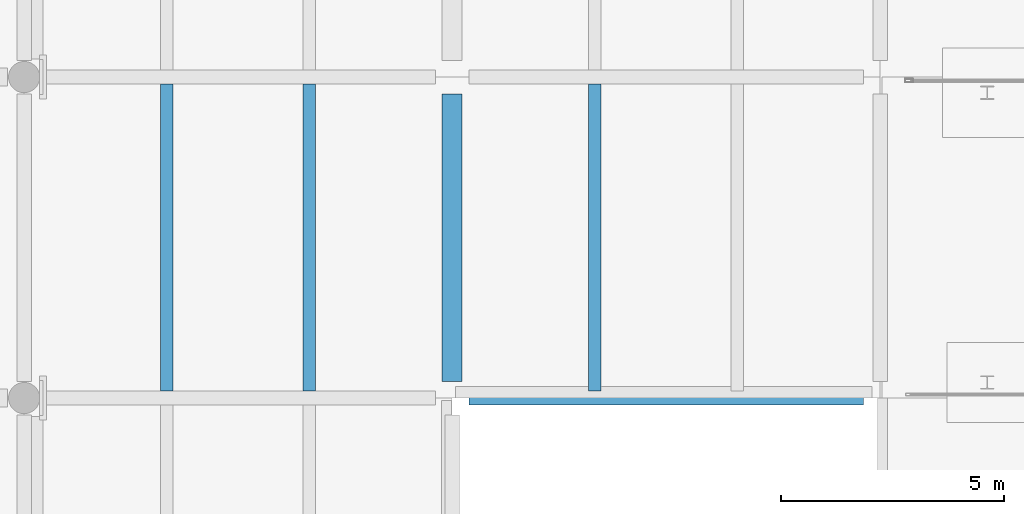
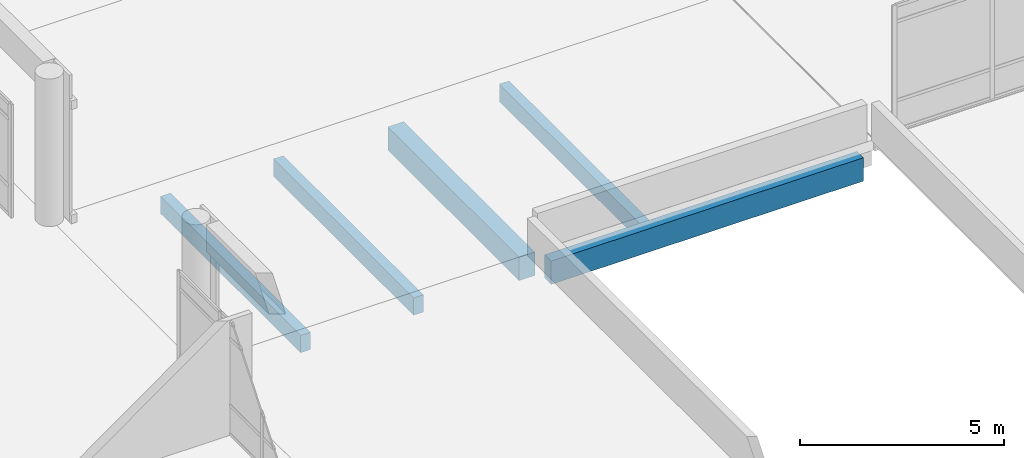
# One storey, part 65 of 196: 5 beams.
"""IFC4 building model written with IfcOpenShell, lengths in metres."""

from ifc_helpers import new_model, si_unit, direction, frame, origin, origin_2d, place, context, subcontext, project, spatial, rectangle, extrude, material, material_profile, profile_set, type_object, element, save


model = new_model("IFC4")

# Units and contexts
model_context = context("Model", 3, precision=1e-05, world=origin(), true_north=direction((0.0, 1.0)))
body_context = subcontext(model_context, "Body", "Model", "MODEL_VIEW")
ifc_project = project(units=[si_unit("LENGTHUNIT", "METRE"), si_unit("AREAUNIT", "SQUARE_METRE"), si_unit("VOLUMEUNIT", "CUBIC_METRE"), si_unit("PLANEANGLEUNIT", "RADIAN"), si_unit("MASSUNIT", "GRAM", prefix="KILO")], contexts=[model_context])

# Site, building, storey
site_placement = place(None, origin())
site = spatial("IfcSite", under=ifc_project, at=site_placement, CompositionType="ELEMENT")
building_placement = place(site_placement, origin())
building = spatial("IfcBuilding", under=site, at=building_placement, Name="Asteropetra Specialist Clinic", CompositionType="ELEMENT")
storey_placement = place(building_placement, origin())
storey = spatial("IfcBuildingStorey", under=building, at=storey_placement, Name="L00", CompositionType="ELEMENT", Elevation=0.0)

# Beams
ifc_material_1 = material(Name="Concrete C35/45", Category="concrete")
ifc_material_profile_1 = material_profile(ifc_material_1, rectangle(XDim=0.449951171875, YDim=0.699951171875, at=origin_2d()), Name="RCB 450x700")
ifc_profile_set_1 = profile_set([ifc_material_profile_1], Name="Concrete C35/45")
beam_type_1 = type_object("IfcBeamType", Name="BM-RC450x700", PredefinedType="BEAM", material=ifc_profile_set_1)
beam_1_placement = place(storey_placement, frame((57.60009765625, 48.375, -0.659912109375), z_axis=(0.0, 1.0, 0.0), x_axis=(-1.0, 0.0, 0.0)))
element("IfcBeam", 1, at=beam_1_placement, inside=storey, type_object=beam_type_1, Name="Beam BBM05-0118", PredefinedType="BEAM", context=body_context, shape_type="SweptSolid", body=[
    extrude(rectangle(XDim=0.449951171875, YDim=0.699951171875, at=origin_2d()), origin(), (0.0, 0.0, 1.0), 6.449951171875),
])
ifc_material_2 = material(Name="Concrete C35/45", Category="concrete")
ifc_material_profile_2 = material_profile(ifc_material_2, rectangle(XDim=0.280029296875, YDim=0.52001953125, at=origin_2d()), Name="RCJ 280x520")
ifc_profile_set_2 = profile_set([ifc_material_profile_2], Name="Concrete C35/45")
beam_type_2 = type_object("IfcBeamType", Name="JST-RC280x520", PredefinedType="JOIST", material=ifc_profile_set_2)
for number, where, z_axis, x_axis, name in (
    (2, (51.199951171875, 48.159912109375, -0.570068359375), (0.0, 1.0, 0.0), (-1.0, 0.0, 0.0), "Joist JJST01-0120"),
    (3, (54.39990234375, 48.159912109375, -0.570068359375), (0.0, 1.0, 0.0), (-1.0, 0.0, 0.0), "Joist JJST01-0121"),
    (4, (60.800048828125, 48.159912109375, -0.570068359375), (0.0, 1.0, 0.0), (-1.0, 0.0, 0.0), "Joist JJST01-0122"),
):
    element("IfcBeam", number, at=place(storey_placement, frame(where, z_axis=z_axis, x_axis=x_axis)), inside=storey, type_object=beam_type_2, Name=name, PredefinedType="JOIST", context=body_context, shape_type="SweptSolid", body=[
        extrude(rectangle(XDim=0.280029296875, YDim=0.52001953125, at=origin_2d()), origin(), (0.0, 0.0, 1.0), 6.880126953125),
    ])
ifc_material_3 = material(Name="Concrete C35/45", Category="concrete")
ifc_material_profile_3 = material_profile(ifc_material_3, rectangle(XDim=0.320068359375, YDim=0.699951171875, at=origin_2d()), Name="RCS 320x700")
ifc_profile_set_3 = profile_set([ifc_material_profile_3], Name="Concrete C35/45")
beam_type_3 = type_object("IfcBeamType", Name="SPN-RC320x700", PredefinedType="SPANDREL", material=ifc_profile_set_3)
beam_2_placement = place(storey_placement, frame((57.97509765625, 48.0, -0.659912109375), z_axis=(1.0, 0.0, 0.0), x_axis=(0.0, 1.0, 0.0)))
element("IfcBeam", 5, at=beam_2_placement, inside=storey, type_object=beam_type_3, Name="Beam BSPN02-0114", PredefinedType="SPANDREL", context=body_context, shape_type="SweptSolid", body=[
    extrude(rectangle(XDim=0.320068359375, YDim=0.699951171875, at=origin_2d()), origin(), (0.0, 0.0, 1.0), 8.849853515625),
])

save(model, "model.ifc")
